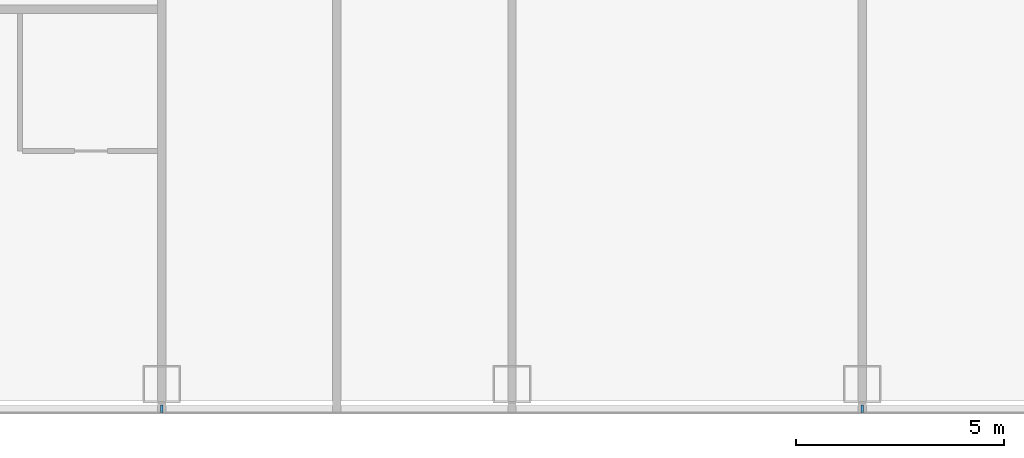
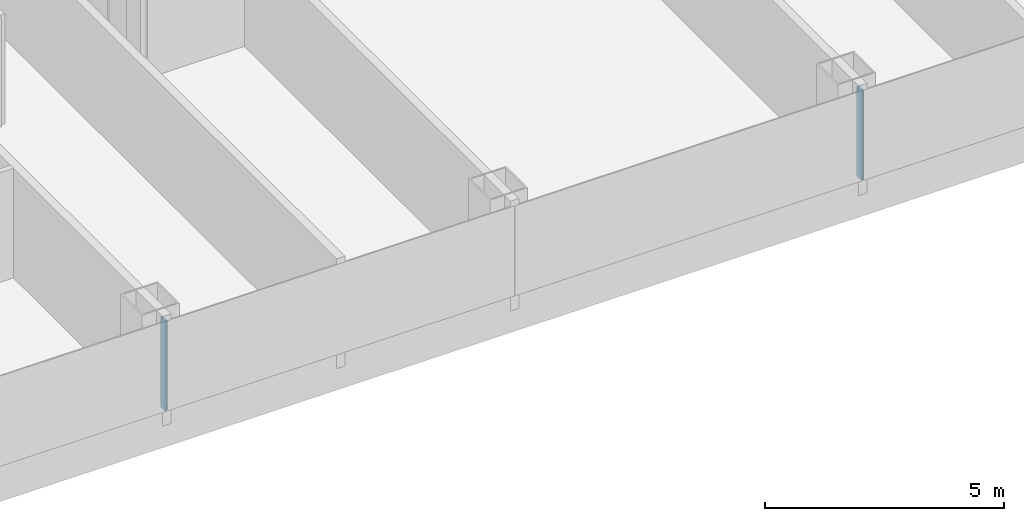
# One storey, part 4 of 29: 2 members, 1 element without a shape of its own.
"""IFC4 building model written with IfcOpenShell, lengths in metres."""

import ifcopenshell
import ifcopenshell.guid

model = None  # the IFC model being written
_history = None  # IfcOwnerHistory: only IFC2X3 demands one
_inside = {}  # id of a spatial element -> (the spatial element, [elements in it])
_under = {}  # id of a project, library or spatial element -> (it, [spatial elements below it])
_declared = {}  # id of a project -> (the project, [libraries it declares])
_typed = {}  # id of a type object -> (the type object, [elements of that type])
_made_of = {}  # id of a material, layer set ... -> (it, [elements and type objects made of it])


def new_model(schema):
    """Start an empty IFC model of exactly this schema.

    Asked for "IFC4X3", IfcOpenShell would pick the latest addendum, in which some entities
    have other attributes; the version numbers below select the first issue.
    IFC2X3 requires an IfcOwnerHistory on every rooted entity: one is made here for all.
    """
    global model, _history
    if schema == "IFC4X3":
        model = ifcopenshell.file(schema_version=(4, 3, 0, 0))
    else:
        model = ifcopenshell.file(schema=schema)
    _inside.clear()
    _under.clear()
    _declared.clear()
    _typed.clear()
    _made_of.clear()
    _history = None
    if model.schema == "IFC2X3":
        org = make("IfcOrganization", Name="unknown")
        user = make(
            "IfcPersonAndOrganization",
            ThePerson=make("IfcPerson", FamilyName="unknown"),
            TheOrganization=org,
        )
        app = make(
            "IfcApplication",
            ApplicationDeveloper=org,
            Version="unknown",
            ApplicationFullName="unknown",
            ApplicationIdentifier="unknown",
        )
        _history = make(
            "IfcOwnerHistory",
            OwningUser=user,
            OwningApplication=app,
            ChangeAction="ADDED",
            CreationDate=0,
        )
    return model


def make(cls, **values):
    """One entity of the class cls with the attributes given. An attribute that is None is left unset."""
    return model.create_entity(
        cls, **{name: value for name, value in values.items() if value is not None}
    )


def rooted(cls, **values):
    """An entity with a GlobalId (a new one), such as an element, a storey or a relation."""
    return make(cls, GlobalId=ifcopenshell.guid.new(), OwnerHistory=_history, **values)


def si_unit(unit_type, name, prefix=None):
    """IfcSIUnit, for example si_unit("LENGTHUNIT", "METRE", prefix="MILLI")."""
    return make("IfcSIUnit", UnitType=unit_type, Prefix=prefix, Name=name)


def assignment(units):
    """IfcUnitAssignment: the units of a project."""
    return None if units is None else make("IfcUnitAssignment", Units=units)


def point(xyz):
    """IfcCartesianPoint."""
    return None if xyz is None else make("IfcCartesianPoint", Coordinates=xyz)


def direction(xyz):
    """IfcDirection."""
    return None if xyz is None else make("IfcDirection", DirectionRatios=xyz)


def frame(location, z_axis=None, x_axis=None):
    """IfcAxis2Placement3D, a coordinate frame: its origin and axes. An axis left out is left unset."""
    return make(
        "IfcAxis2Placement3D",
        Location=point(location),
        Axis=direction(z_axis),
        RefDirection=direction(x_axis),
    )


def frame_2d(location, x_axis=None):
    """IfcAxis2Placement2D, a coordinate frame in the plane: its origin and x axis."""
    return make(
        "IfcAxis2Placement2D", Location=point(location), RefDirection=direction(x_axis)
    )


def origin():
    """The frame at (0, 0, 0) with its axes left unset."""
    return frame((0.0, 0.0, 0.0))


def origin_2d():
    """The frame at (0, 0) in the plane with its x axis left unset."""
    return frame_2d((0.0, 0.0))


def place(relative_to, where):
    """IfcLocalPlacement: puts the frame where relative to a parent placement (None: the world)."""
    return make(
        "IfcLocalPlacement", PlacementRelTo=relative_to, RelativePlacement=where
    )


def context(
    kind, dimensions, precision=None, world=None, true_north=None, identifier=None
):
    """IfcGeometricRepresentationContext, for example the 3D "Model" context."""
    return make(
        "IfcGeometricRepresentationContext",
        ContextIdentifier=identifier,
        ContextType=kind,
        CoordinateSpaceDimension=dimensions,
        Precision=precision,
        WorldCoordinateSystem=world,
        TrueNorth=true_north,
    )


def subcontext(parent, identifier, kind, view, scale=None):
    """IfcGeometricRepresentationSubContext, for example "Body" below "Model"."""
    return make(
        "IfcGeometricRepresentationSubContext",
        ContextIdentifier=identifier,
        ContextType=kind,
        ParentContext=parent,
        TargetScale=scale,
        TargetView=view,
    )


def project(units=None, contexts=None):
    """IfcProject with its units and contexts."""
    return rooted(
        "IfcProject",
        Name="project",
        RepresentationContexts=contexts,
        UnitsInContext=assignment(units),
    )


def spatial(cls, under=None, at=None, **own):
    """A site, building, storey or space (cls), placed at a placement, below another one or the project."""
    s = rooted(cls, ObjectPlacement=at, **own)
    if under is not None:
        _under.setdefault(under.id(), (under, []))[1].append(s)
    return s


def profile(cls, at=None, kind="AREA", **sizes):
    """A parametric profile (cls). Its sizes go by their IFC names, for example OverallWidth=200.0."""
    return make(cls, ProfileType=kind, Position=at, **sizes)


def rectangle(**sizes):
    """IfcRectangleProfileDef."""
    return profile("IfcRectangleProfileDef", **sizes)


def extrude(swept, where, along, depth):
    """IfcExtrudedAreaSolid: the profile swept, set in the frame where, extruded along a direction by depth."""
    return make(
        "IfcExtrudedAreaSolid",
        SweptArea=swept,
        Position=where,
        ExtrudedDirection=direction(along),
        Depth=depth,
    )


def shape(context_of_items, identifier, shape_type, items):
    """IfcShapeRepresentation: the items that make up one representation, for example the "Body"."""
    return make(
        "IfcShapeRepresentation",
        ContextOfItems=context_of_items,
        RepresentationIdentifier=identifier,
        RepresentationType=shape_type,
        Items=items,
    )


def material(Name=None, Category=None):
    """IfcMaterial."""
    return make("IfcMaterial", Name=Name, Category=Category)


def layer(
    of_material, thickness, ventilated=None, Name=None, Category=None, Priority=None
):
    """IfcMaterialLayer: one layer of a wall or slab, of a material (None: an air gap)."""
    return make(
        "IfcMaterialLayer",
        Material=of_material,
        LayerThickness=thickness,
        IsVentilated=ventilated,
        Name=Name,
        Category=Category,
        Priority=Priority,
    )


def layer_set(layers, Name=None):
    """IfcMaterialLayerSet."""
    return make("IfcMaterialLayerSet", MaterialLayers=layers, LayerSetName=Name)


def material_profile(
    of_material, cross_section, Name=None, Category=None, Priority=None
):
    """IfcMaterialProfile: a cross section and its material."""
    return make(
        "IfcMaterialProfile",
        Name=Name,
        Material=of_material,
        Profile=cross_section,
        Priority=Priority,
        Category=Category,
    )


def profile_set(profiles, Name=None, composite=None):
    """IfcMaterialProfileSet."""
    return make(
        "IfcMaterialProfileSet",
        Name=Name,
        MaterialProfiles=profiles,
        CompositeProfile=composite,
    )


def made_of(thing, what):
    """Note that an element or type object is made of a material, layer set ...; save() writes the relation."""
    if what is not None:
        _made_of.setdefault(what.id(), (what, []))[1].append(thing)
    return thing


def type_object(cls, material=None, **own):
    """A type object (cls), such as IfcWallType, which elements share."""
    return made_of(rooted(cls, **own), material)


def element(
    cls,
    number,
    at=None,
    inside=None,
    cuts=None,
    type_object=None,
    material=None,
    context=None,
    identifier="Body",
    shape_type=None,
    held_by="IfcProductDefinitionShape",
    body=None,
    shapes=None,
    **own,
):
    """One element of the class cls, such as IfcWall. Its Tag is "e" and its number.

    at: its placement. inside: the storey or other place that contains it. cuts: it is an
    opening in that element (IfcRelVoidsElement). A single representation is given by context,
    identifier, shape_type and body (its items); several are given by shapes. held_by: the class
    of the entity that holds the representations. save() writes the other relations.
    """
    e = rooted(cls, Tag="e%d" % number, ObjectPlacement=at, **own)
    if body is not None:
        shapes = [shape(context, identifier, shape_type, body)]
    if shapes is not None:
        e.Representation = make(held_by, Representations=shapes)
    if inside is not None:
        _inside.setdefault(inside.id(), (inside, []))[1].append(e)
    if cuts is not None:
        rooted(
            "IfcRelVoidsElement", RelatingBuildingElement=cuts, RelatedOpeningElement=e
        )
    if type_object is not None:
        _typed.setdefault(type_object.id(), (type_object, []))[1].append(e)
    return made_of(e, material)


def aggregate(whole, parts):
    """IfcRelAggregates: a whole, such as a stair, and the parts it consists of."""
    return rooted("IfcRelAggregates", RelatingObject=whole, RelatedObjects=parts)


def save(model, path):
    """Write the relations noted so far, then the file.

    IfcRelAggregates (storeys below a building ...), IfcRelContainedInSpatialStructure (elements
    in a storey), IfcRelDefinesByType, IfcRelAssociatesMaterial and IfcRelDeclares: one each for
    every whole, place, type object, material and project.
    """
    for whole, parts in _under.values():
        aggregate(whole, parts)
    for where, things in _inside.values():
        rooted(
            "IfcRelContainedInSpatialStructure",
            RelatedElements=things,
            RelatingStructure=where,
        )
    for kind, things in _typed.values():
        rooted("IfcRelDefinesByType", RelatedObjects=things, RelatingType=kind)
    for what, things in _made_of.values():
        rooted("IfcRelAssociatesMaterial", RelatedObjects=things, RelatingMaterial=what)
    for by, libraries in _declared.values():
        rooted("IfcRelDeclares", RelatingContext=by, RelatedDefinitions=libraries)
    model.write(path)


model = new_model("IFC4")

# Units and contexts
model_context = context("Model", 3, precision=1e-05, world=origin(), true_north=direction((0.0, 1.0)))
body_context = subcontext(model_context, "Body", "Model", "MODEL_VIEW")
ifc_project = project(units=[si_unit("LENGTHUNIT", "METRE"), si_unit("AREAUNIT", "SQUARE_METRE"), si_unit("VOLUMEUNIT", "CUBIC_METRE"), si_unit("PLANEANGLEUNIT", "RADIAN"), si_unit("MASSUNIT", "GRAM", prefix="KILO")], contexts=[model_context])

# Site, building, storey
site_placement = place(None, origin())
site = spatial("IfcSite", under=ifc_project, at=site_placement, CompositionType="ELEMENT")
building_placement = place(site_placement, origin())
building = spatial("IfcBuilding", under=site, at=building_placement, Name="Hakoniwa Tower and Hamabe Station Hall", CompositionType="ELEMENT")
storey_placement = place(building_placement, frame((0.0, 0.0, 29.39990234375)))
storey = spatial("IfcBuildingStorey", under=building, at=storey_placement, Name="L07", CompositionType="ELEMENT", Elevation=29.39990234375)

# Curtain wall, members
ifc_material_1 = material(Name="Dark low-e laminated glass", Category="glass")
ifc_layer = layer(ifc_material_1, 0.199951171875)
ifc_layer_set = layer_set([ifc_layer], Name="CW-1 UNITISED GUEST")
curtain_wall_type = type_object("IfcCurtainWallType", Name="CW-1 UNITISED GUEST", PredefinedType="NOTDEFINED", material=ifc_layer_set)
curtain_wall_placement = place(storey_placement, origin())
curtain_wall = element("IfcCurtainWall", 1, at=curtain_wall_placement, inside=storey, type_object=curtain_wall_type, Name="CW-1 curtain wall", PredefinedType="NOTDEFINED")
ifc_material_2 = material(Name="Aluminium 6063-T5 black anodised", Category="aluminium")
ifc_material_profile = material_profile(ifc_material_2, rectangle(XDim=0.06005859375, YDim=0.179931640625, at=origin_2d()), Name="CW-1 MULLION 60X180")
ifc_profile_set = profile_set([ifc_material_profile], Name="Aluminium 6063-T5 black anodised")
member_type = type_object("IfcMemberType", Name="CW-1 MULLION 60X180", PredefinedType="MULLION", material=ifc_profile_set)
member_1_placement = place(storey_placement, frame((-16.800048828125, -20.181884765625, 0.35009765625), z_axis=(0.0, 0.0, 1.0), x_axis=(1.0, 0.0, 0.0)))
member_1 = element("IfcMember", 2, at=member_1_placement, type_object=member_type, Name="CW-1 mullion", PredefinedType="MULLION", context=body_context, shape_type="SweptSolid", body=[
    extrude(rectangle(XDim=0.06005859375, YDim=0.179931640625, at=origin_2d()), origin(), (0.0, 0.0, 1.0), 2.300048828125),
])
member_2_placement = place(storey_placement, frame((0.0, -20.181884765625, 0.35009765625), z_axis=(0.0, 0.0, 1.0), x_axis=(1.0, 0.0, 0.0)))
member_2 = element("IfcMember", 3, at=member_2_placement, type_object=member_type, Name="CW-1 mullion", PredefinedType="MULLION", context=body_context, shape_type="SweptSolid", body=[
    extrude(rectangle(XDim=0.06005859375, YDim=0.179931640625, at=origin_2d()), origin(), (0.0, 0.0, 1.0), 2.300048828125),
])
aggregate(curtain_wall, [member_1, member_2])

save(model, "model.ifc")
